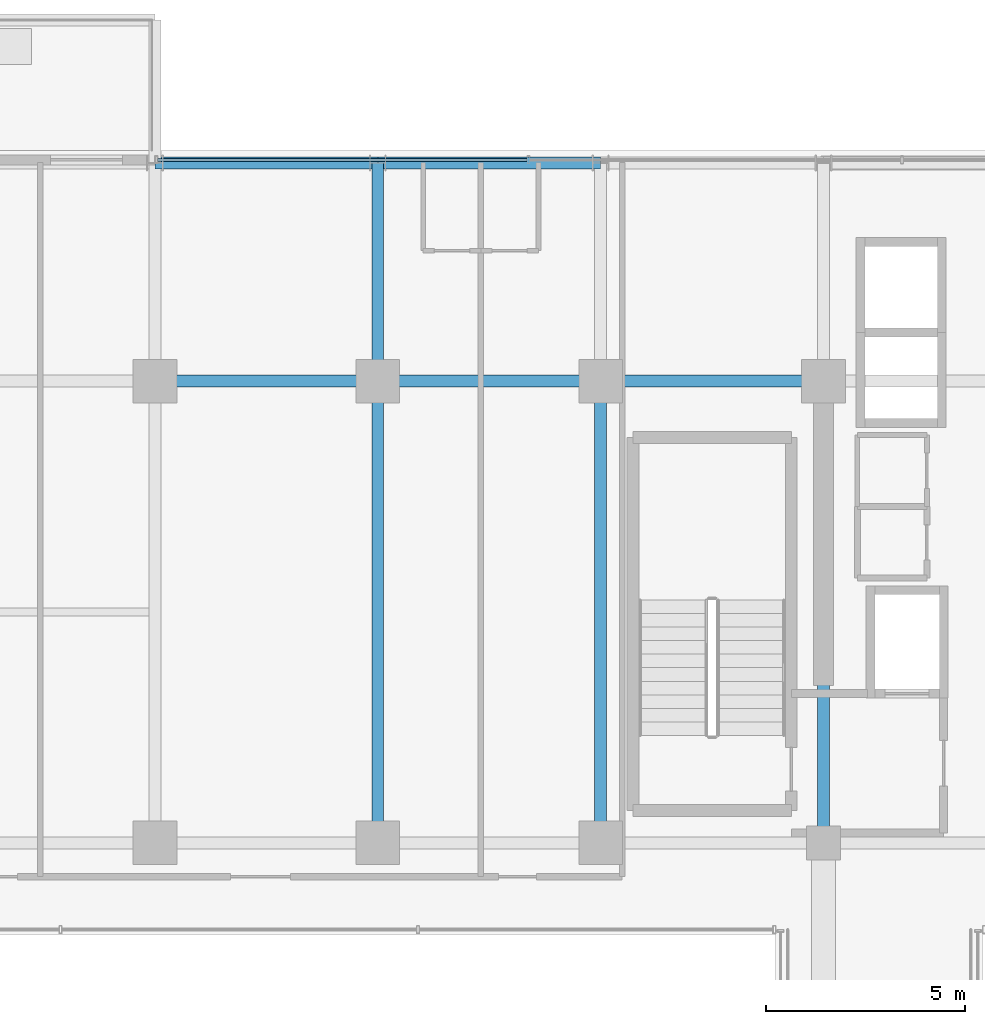
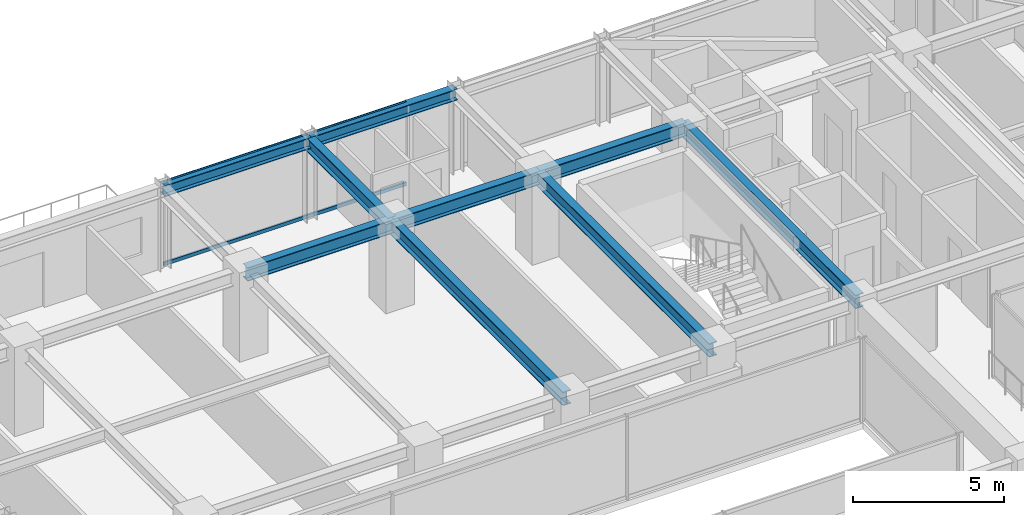
# One storey, part 23 of 36: 9 beams, 2 members, 1 element without a shape of its own.
"""IFC4 building model written with IfcOpenShell, lengths in metres."""

import ifcopenshell
import ifcopenshell.guid

model = None  # the IFC model being written
_history = None  # IfcOwnerHistory: only IFC2X3 demands one
_inside = {}  # id of a spatial element -> (the spatial element, [elements in it])
_under = {}  # id of a project, library or spatial element -> (it, [spatial elements below it])
_declared = {}  # id of a project -> (the project, [libraries it declares])
_typed = {}  # id of a type object -> (the type object, [elements of that type])
_made_of = {}  # id of a material, layer set ... -> (it, [elements and type objects made of it])


def new_model(schema):
    """Start an empty IFC model of exactly this schema.

    Asked for "IFC4X3", IfcOpenShell would pick the latest addendum, in which some entities
    have other attributes; the version numbers below select the first issue.
    IFC2X3 requires an IfcOwnerHistory on every rooted entity: one is made here for all.
    """
    global model, _history
    if schema == "IFC4X3":
        model = ifcopenshell.file(schema_version=(4, 3, 0, 0))
    else:
        model = ifcopenshell.file(schema=schema)
    _inside.clear()
    _under.clear()
    _declared.clear()
    _typed.clear()
    _made_of.clear()
    _history = None
    if model.schema == "IFC2X3":
        org = make("IfcOrganization", Name="unknown")
        user = make(
            "IfcPersonAndOrganization",
            ThePerson=make("IfcPerson", FamilyName="unknown"),
            TheOrganization=org,
        )
        app = make(
            "IfcApplication",
            ApplicationDeveloper=org,
            Version="unknown",
            ApplicationFullName="unknown",
            ApplicationIdentifier="unknown",
        )
        _history = make(
            "IfcOwnerHistory",
            OwningUser=user,
            OwningApplication=app,
            ChangeAction="ADDED",
            CreationDate=0,
        )
    return model


def make(cls, **values):
    """One entity of the class cls with the attributes given. An attribute that is None is left unset."""
    return model.create_entity(
        cls, **{name: value for name, value in values.items() if value is not None}
    )


def rooted(cls, **values):
    """An entity with a GlobalId (a new one), such as an element, a storey or a relation."""
    return make(cls, GlobalId=ifcopenshell.guid.new(), OwnerHistory=_history, **values)


def si_unit(unit_type, name, prefix=None):
    """IfcSIUnit, for example si_unit("LENGTHUNIT", "METRE", prefix="MILLI")."""
    return make("IfcSIUnit", UnitType=unit_type, Prefix=prefix, Name=name)


def assignment(units):
    """IfcUnitAssignment: the units of a project."""
    return None if units is None else make("IfcUnitAssignment", Units=units)


def point(xyz):
    """IfcCartesianPoint."""
    return None if xyz is None else make("IfcCartesianPoint", Coordinates=xyz)


def direction(xyz):
    """IfcDirection."""
    return None if xyz is None else make("IfcDirection", DirectionRatios=xyz)


def frame(location, z_axis=None, x_axis=None):
    """IfcAxis2Placement3D, a coordinate frame: its origin and axes. An axis left out is left unset."""
    return make(
        "IfcAxis2Placement3D",
        Location=point(location),
        Axis=direction(z_axis),
        RefDirection=direction(x_axis),
    )


def frame_2d(location, x_axis=None):
    """IfcAxis2Placement2D, a coordinate frame in the plane: its origin and x axis."""
    return make(
        "IfcAxis2Placement2D", Location=point(location), RefDirection=direction(x_axis)
    )


def origin():
    """The frame at (0, 0, 0) with its axes left unset."""
    return frame((0.0, 0.0, 0.0))


def origin_2d():
    """The frame at (0, 0) in the plane with its x axis left unset."""
    return frame_2d((0.0, 0.0))


def place(relative_to, where):
    """IfcLocalPlacement: puts the frame where relative to a parent placement (None: the world)."""
    return make(
        "IfcLocalPlacement", PlacementRelTo=relative_to, RelativePlacement=where
    )


def context(
    kind, dimensions, precision=None, world=None, true_north=None, identifier=None
):
    """IfcGeometricRepresentationContext, for example the 3D "Model" context."""
    return make(
        "IfcGeometricRepresentationContext",
        ContextIdentifier=identifier,
        ContextType=kind,
        CoordinateSpaceDimension=dimensions,
        Precision=precision,
        WorldCoordinateSystem=world,
        TrueNorth=true_north,
    )


def subcontext(parent, identifier, kind, view, scale=None):
    """IfcGeometricRepresentationSubContext, for example "Body" below "Model"."""
    return make(
        "IfcGeometricRepresentationSubContext",
        ContextIdentifier=identifier,
        ContextType=kind,
        ParentContext=parent,
        TargetScale=scale,
        TargetView=view,
    )


def project(units=None, contexts=None):
    """IfcProject with its units and contexts."""
    return rooted(
        "IfcProject",
        Name="project",
        RepresentationContexts=contexts,
        UnitsInContext=assignment(units),
    )


def spatial(cls, under=None, at=None, **own):
    """A site, building, storey or space (cls), placed at a placement, below another one or the project."""
    s = rooted(cls, ObjectPlacement=at, **own)
    if under is not None:
        _under.setdefault(under.id(), (under, []))[1].append(s)
    return s


def profile(cls, at=None, kind="AREA", **sizes):
    """A parametric profile (cls). Its sizes go by their IFC names, for example OverallWidth=200.0."""
    return make(cls, ProfileType=kind, Position=at, **sizes)


def hollow_rectangle(**sizes):
    """IfcRectangleHollowProfileDef."""
    return profile("IfcRectangleHollowProfileDef", **sizes)


def i_section(**sizes):
    """IfcIShapeProfileDef."""
    return profile("IfcIShapeProfileDef", **sizes)


def extrude(swept, where, along, depth):
    """IfcExtrudedAreaSolid: the profile swept, set in the frame where, extruded along a direction by depth."""
    return make(
        "IfcExtrudedAreaSolid",
        SweptArea=swept,
        Position=where,
        ExtrudedDirection=direction(along),
        Depth=depth,
    )


def shape(context_of_items, identifier, shape_type, items):
    """IfcShapeRepresentation: the items that make up one representation, for example the "Body"."""
    return make(
        "IfcShapeRepresentation",
        ContextOfItems=context_of_items,
        RepresentationIdentifier=identifier,
        RepresentationType=shape_type,
        Items=items,
    )


def source(mapping_origin, context_of_items, identifier, shape_type, items):
    """IfcRepresentationMap: a shape defined once, which mapped items show again and again."""
    return make(
        "IfcRepresentationMap",
        MappingOrigin=mapping_origin,
        MappedRepresentation=shape(context_of_items, identifier, shape_type, items),
    )


def transform(
    local_origin,
    x_axis=None,
    y_axis=None,
    z_axis=None,
    scale=None,
    scale2=None,
    scale3=None,
    uniform=True,
):
    """IfcCartesianTransformationOperator3D, or its non-uniform kind. x_axis, y_axis, z_axis: its Axis1, 2, 3."""
    if uniform:
        return make(
            "IfcCartesianTransformationOperator3D",
            Axis1=direction(x_axis),
            Axis2=direction(y_axis),
            LocalOrigin=point(local_origin),
            Scale=scale,
            Axis3=direction(z_axis),
        )
    return make(
        "IfcCartesianTransformationOperator3DnonUniform",
        Axis1=direction(x_axis),
        Axis2=direction(y_axis),
        LocalOrigin=point(local_origin),
        Scale=scale,
        Axis3=direction(z_axis),
        Scale2=scale2,
        Scale3=scale3,
    )


def mapped(mapping_source, mapping_target):
    """IfcMappedItem: shows the shape of a source again, moved by a transform."""
    return make(
        "IfcMappedItem", MappingSource=mapping_source, MappingTarget=mapping_target
    )


def material(Name=None, Category=None):
    """IfcMaterial."""
    return make("IfcMaterial", Name=Name, Category=Category)


def material_profile(
    of_material, cross_section, Name=None, Category=None, Priority=None
):
    """IfcMaterialProfile: a cross section and its material."""
    return make(
        "IfcMaterialProfile",
        Name=Name,
        Material=of_material,
        Profile=cross_section,
        Priority=Priority,
        Category=Category,
    )


def profile_set(profiles, Name=None, composite=None):
    """IfcMaterialProfileSet."""
    return make(
        "IfcMaterialProfileSet",
        Name=Name,
        MaterialProfiles=profiles,
        CompositeProfile=composite,
    )


def made_of(thing, what):
    """Note that an element or type object is made of a material, layer set ...; save() writes the relation."""
    if what is not None:
        _made_of.setdefault(what.id(), (what, []))[1].append(thing)
    return thing


def type_object(cls, material=None, **own):
    """A type object (cls), such as IfcWallType, which elements share."""
    return made_of(rooted(cls, **own), material)


def element(
    cls,
    number,
    at=None,
    inside=None,
    cuts=None,
    type_object=None,
    material=None,
    context=None,
    identifier="Body",
    shape_type=None,
    held_by="IfcProductDefinitionShape",
    body=None,
    shapes=None,
    **own,
):
    """One element of the class cls, such as IfcWall. Its Tag is "e" and its number.

    at: its placement. inside: the storey or other place that contains it. cuts: it is an
    opening in that element (IfcRelVoidsElement). A single representation is given by context,
    identifier, shape_type and body (its items); several are given by shapes. held_by: the class
    of the entity that holds the representations. save() writes the other relations.
    """
    e = rooted(cls, Tag="e%d" % number, ObjectPlacement=at, **own)
    if body is not None:
        shapes = [shape(context, identifier, shape_type, body)]
    if shapes is not None:
        e.Representation = make(held_by, Representations=shapes)
    if inside is not None:
        _inside.setdefault(inside.id(), (inside, []))[1].append(e)
    if cuts is not None:
        rooted(
            "IfcRelVoidsElement", RelatingBuildingElement=cuts, RelatedOpeningElement=e
        )
    if type_object is not None:
        _typed.setdefault(type_object.id(), (type_object, []))[1].append(e)
    return made_of(e, material)


def aggregate(whole, parts):
    """IfcRelAggregates: a whole, such as a stair, and the parts it consists of."""
    return rooted("IfcRelAggregates", RelatingObject=whole, RelatedObjects=parts)


def save(model, path):
    """Write the relations noted so far, then the file.

    IfcRelAggregates (storeys below a building ...), IfcRelContainedInSpatialStructure (elements
    in a storey), IfcRelDefinesByType, IfcRelAssociatesMaterial and IfcRelDeclares: one each for
    every whole, place, type object, material and project.
    """
    for whole, parts in _under.values():
        aggregate(whole, parts)
    for where, things in _inside.values():
        rooted(
            "IfcRelContainedInSpatialStructure",
            RelatedElements=things,
            RelatingStructure=where,
        )
    for kind, things in _typed.values():
        rooted("IfcRelDefinesByType", RelatedObjects=things, RelatingType=kind)
    for what, things in _made_of.values():
        rooted("IfcRelAssociatesMaterial", RelatedObjects=things, RelatingMaterial=what)
    for by, libraries in _declared.values():
        rooted("IfcRelDeclares", RelatingContext=by, RelatedDefinitions=libraries)
    model.write(path)


model = new_model("IFC4")

# Units and contexts
model_context = context("Model", 3, precision=1e-05, world=origin(), true_north=direction((0.0, 1.0)))
body_context = subcontext(model_context, "Body", "Model", "MODEL_VIEW")
ifc_project = project(units=[si_unit("LENGTHUNIT", "METRE"), si_unit("AREAUNIT", "SQUARE_METRE"), si_unit("VOLUMEUNIT", "CUBIC_METRE"), si_unit("PLANEANGLEUNIT", "RADIAN"), si_unit("MASSUNIT", "GRAM", prefix="KILO")], contexts=[model_context])

# Site, building, storey
site_placement = place(None, origin())
site = spatial("IfcSite", under=ifc_project, at=site_placement, CompositionType="ELEMENT")
building_placement = place(site_placement, origin())
building = spatial("IfcBuilding", under=site, at=building_placement, Name="Nahalor Promenade Grand Hotel", CompositionType="ELEMENT")
storey_placement = place(building_placement, frame((0.0, 0.0, 174.550048828125)))
storey = spatial("IfcBuildingStorey", under=building, at=storey_placement, Name="L44", CompositionType="ELEMENT", Elevation=174.550048828125)

# Beams
ifc_material_1 = material(Name="Steel S355JR", Category="steel")
ifc_material_profile_1 = material_profile(ifc_material_1, i_section(OverallWidth=0.3, OverallDepth=0.55, WebThickness=0.015, FlangeThickness=0.029, at=origin_2d()), Name="HEB 550")
ifc_profile_set_1 = profile_set([ifc_material_profile_1], Name="Steel S355JR")
beam_type_1 = type_object("IfcBeamType", Name="Beam-Girder-HEB550", PredefinedType="BEAM", material=ifc_profile_set_1)
shared_shape_1 = source(origin(), body_context, "Body", "SweptSolid", [
    extrude(i_section(OverallWidth=0.3, OverallDepth=0.55, WebThickness=0.015, FlangeThickness=0.029, at=origin_2d()), origin(), (0.0, 0.0, 1.0), 5.599853515625),
])
for number, where, z_axis, x_axis, name in (
    (1, (-8.39990234375, 17.0, 3.114990234375), (1.0, 0.0, 0.0), (0.0, 1.0, 0.0), "BM-L44-GX-3-2"),
    (2, (2.800048828125, 17.0, 3.114990234375), (1.0, 0.0, 0.0), (0.0, 1.0, 0.0), "BM-L44-GX-3-4"),
):
    element("IfcBeam", number, at=place(storey_placement, frame(where, z_axis=z_axis, x_axis=x_axis)), inside=storey, type_object=beam_type_1, Name=name, PredefinedType="BEAM", context=body_context, shape_type="MappedRepresentation", body=[
        mapped(shared_shape_1, transform((0.0, 0.0, 0.0), scale=1.0)),
    ])
shared_shape_2 = source(origin(), body_context, "Body", "SweptSolid", [
    extrude(i_section(OverallWidth=0.3, OverallDepth=0.55, WebThickness=0.015, FlangeThickness=0.029, at=origin_2d()), origin(), (0.0, 0.0, 1.0), 5.60009765625),
])
beam_1_placement = place(storey_placement, frame((-2.800048828125, 17.0, 3.114990234375), z_axis=(1.0, 0.0, 0.0), x_axis=(0.0, 1.0, 0.0)))
element("IfcBeam", 3, at=beam_1_placement, inside=storey, type_object=beam_type_1, Name="BM-L44-GX-3-3", PredefinedType="BEAM", context=body_context, shape_type="MappedRepresentation", body=[
    mapped(shared_shape_2, transform((0.0, 0.0, 0.0), scale=1.0)),
])
shared_shape_3 = source(origin(), body_context, "Body", "SweptSolid", [
    extrude(i_section(OverallWidth=0.3, OverallDepth=0.55, WebThickness=0.015, FlangeThickness=0.029, at=origin_2d()), origin(), (0.0, 0.0, 1.0), 11.60009765625),
])
for number, where, z_axis, x_axis, name in (
    (4, (-2.800048828125, 5.39990234375, 3.114990234375), (0.0, 1.0, 0.0), (-1.0, 0.0, 0.0), "BM-L44-GY-2-3"),
    (5, (2.800048828125, 5.39990234375, 3.114990234375), (0.0, 1.0, 0.0), (-1.0, 0.0, 0.0), "BM-L44-GY-3-3"),
    (6, (8.39990234375, 5.39990234375, 3.114990234375), (0.0, 1.0, 0.0), (-1.0, 0.0, 0.0), "BM-L44-GY-4-3"),
):
    element("IfcBeam", number, at=place(storey_placement, frame(where, z_axis=z_axis, x_axis=x_axis)), inside=storey, type_object=beam_type_1, Name=name, PredefinedType="BEAM", context=body_context, shape_type="MappedRepresentation", body=[
        mapped(shared_shape_3, transform((0.0, 0.0, 0.0), scale=1.0)),
    ])
shared_shape_4 = source(origin(), body_context, "Body", "SweptSolid", [
    extrude(i_section(OverallWidth=0.3, OverallDepth=0.55, WebThickness=0.015, FlangeThickness=0.029, at=origin_2d()), origin(), (0.0, 0.0, 1.0), 5.47998046875),
])
beam_2_placement = place(storey_placement, frame((-2.800048828125, 17.0, 3.114990234375), z_axis=(0.0, 1.0, 0.0), x_axis=(-1.0, 0.0, 0.0)))
element("IfcBeam", 7, at=beam_2_placement, inside=storey, type_object=beam_type_1, Name="BM-L44-GY-2-4", PredefinedType="BEAM", context=body_context, shape_type="MappedRepresentation", body=[
    mapped(shared_shape_4, transform((0.0, 0.0, 0.0), scale=1.0)),
])
ifc_material_profile_2 = material_profile(ifc_material_1, i_section(OverallWidth=0.3, OverallDepth=0.45, WebThickness=0.014, FlangeThickness=0.026, at=origin_2d()), Name="HEB 450")
ifc_profile_set_2 = profile_set([ifc_material_profile_2], Name="Steel S355JR")
beam_type_2 = type_object("IfcBeamType", Name="Beam-Spandrel-HEB450", PredefinedType="SPANDREL", material=ifc_profile_set_2)
shared_shape_5 = source(origin(), body_context, "Body", "SweptSolid", [
    extrude(i_section(OverallWidth=0.3, OverallDepth=0.45, WebThickness=0.014, FlangeThickness=0.026, at=origin_2d()), origin(), (0.0, 0.0, 1.0), 5.599853515625),
])
beam_3_placement = place(storey_placement, frame((-8.39990234375, 22.47998046875, 3.1650390625), z_axis=(1.0, 0.0, 0.0), x_axis=(0.0, 1.0, 0.0)))
element("IfcBeam", 8, at=beam_3_placement, inside=storey, type_object=beam_type_2, Name="BM-L44-SP-N-1", PredefinedType="SPANDREL", context=body_context, shape_type="MappedRepresentation", body=[
    mapped(shared_shape_5, transform((0.0, 0.0, 0.0), scale=1.0)),
])
shared_shape_6 = source(origin(), body_context, "Body", "SweptSolid", [
    extrude(i_section(OverallWidth=0.3, OverallDepth=0.45, WebThickness=0.014, FlangeThickness=0.026, at=origin_2d()), origin(), (0.0, 0.0, 1.0), 5.60009765625),
])
beam_4_placement = place(storey_placement, frame((-2.800048828125, 22.47998046875, 3.1650390625), z_axis=(1.0, 0.0, 0.0), x_axis=(0.0, 1.0, 0.0)))
element("IfcBeam", 9, at=beam_4_placement, inside=storey, type_object=beam_type_2, Name="BM-L44-SP-N-2", PredefinedType="SPANDREL", context=body_context, shape_type="MappedRepresentation", body=[
    mapped(shared_shape_6, transform((0.0, 0.0, 0.0), scale=1.0)),
])

# Curtain wall, members
ifc_material_2 = material(Name="Anodised Bronze Aluminium EN AW-6063 T6", Category="aluminium")
curtain_wall_type = type_object("IfcCurtainWallType", Name="CW3 Elliptical-Void Collar Unitised Curtain Wall", PredefinedType="USERDEFINED", material=ifc_material_2)
curtain_wall_placement = place(storey_placement, origin())
curtain_wall = element("IfcCurtainWall", 10, at=curtain_wall_placement, inside=storey, type_object=curtain_wall_type, Name="L44 Curtain Wall CW-L44-N-3", ObjectType="UNITISED_CURTAIN_WALL", PredefinedType="USERDEFINED")
ifc_material_profile_3 = material_profile(ifc_material_2, hollow_rectangle(XDim=0.07, YDim=0.14, WallThickness=0.004, at=origin_2d()), Name="CWT 70x140x4")
ifc_profile_set_3 = profile_set([ifc_material_profile_3], Name="Anodised Bronze Aluminium EN AW-6063 T6")
member_type = type_object("IfcMemberType", Name="CWT3 Void Collar Transom 70x140", PredefinedType="USERDEFINED", material=ifc_profile_set_3)
shared_shape_7 = source(origin(), body_context, "Body", "SweptSolid", [
    extrude(hollow_rectangle(XDim=0.07, YDim=0.14, WallThickness=0.004, at=origin_2d()), origin(), (0.0, 0.0, 1.0), 9.28173828125),
])
member_1_placement = place(storey_placement, frame((-8.330078125, 22.56005859375, 0.070068359375), z_axis=(1.0, 0.0, 0.0), x_axis=(0.0, 1.0, 0.0)))
member_1 = element("IfcMember", 11, at=member_1_placement, type_object=member_type, Name="CW-L44-N-3 Transom 0-0", ObjectType="TRANSOM", PredefinedType="USERDEFINED", context=body_context, shape_type="MappedRepresentation", body=[
    mapped(shared_shape_7, transform((0.0, 0.0, 0.0), scale=1.0)),
])
member_2_placement = place(storey_placement, frame((-8.330078125, 22.56005859375, 3.320068359375), z_axis=(1.0, 0.0, 0.0), x_axis=(0.0, 1.0, 0.0)))
member_2 = element("IfcMember", 12, at=member_2_placement, type_object=member_type, Name="CW-L44-N-3 Transom 0-1", ObjectType="TRANSOM", PredefinedType="USERDEFINED", context=body_context, shape_type="MappedRepresentation", body=[
    mapped(shared_shape_7, transform((0.0, 0.0, 0.0), scale=1.0)),
])
aggregate(curtain_wall, [member_1, member_2])

save(model, "model.ifc")
